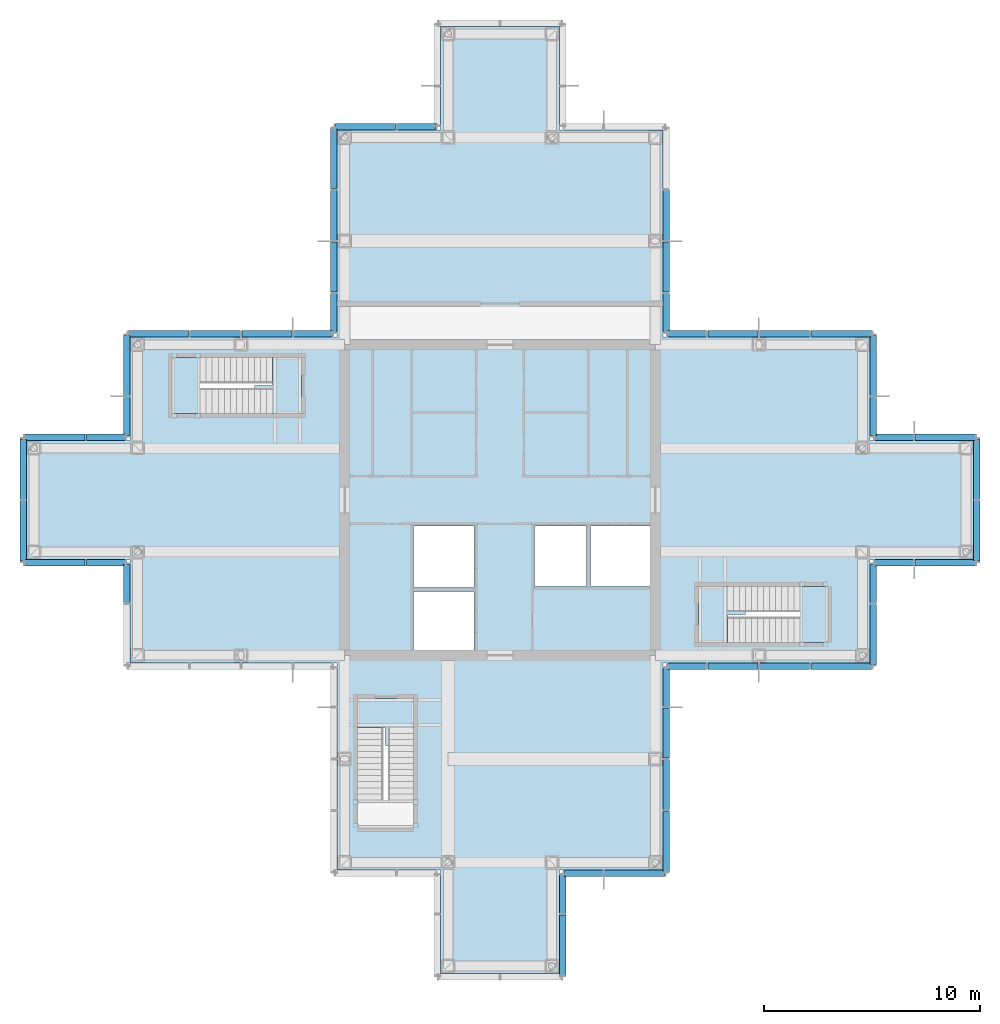
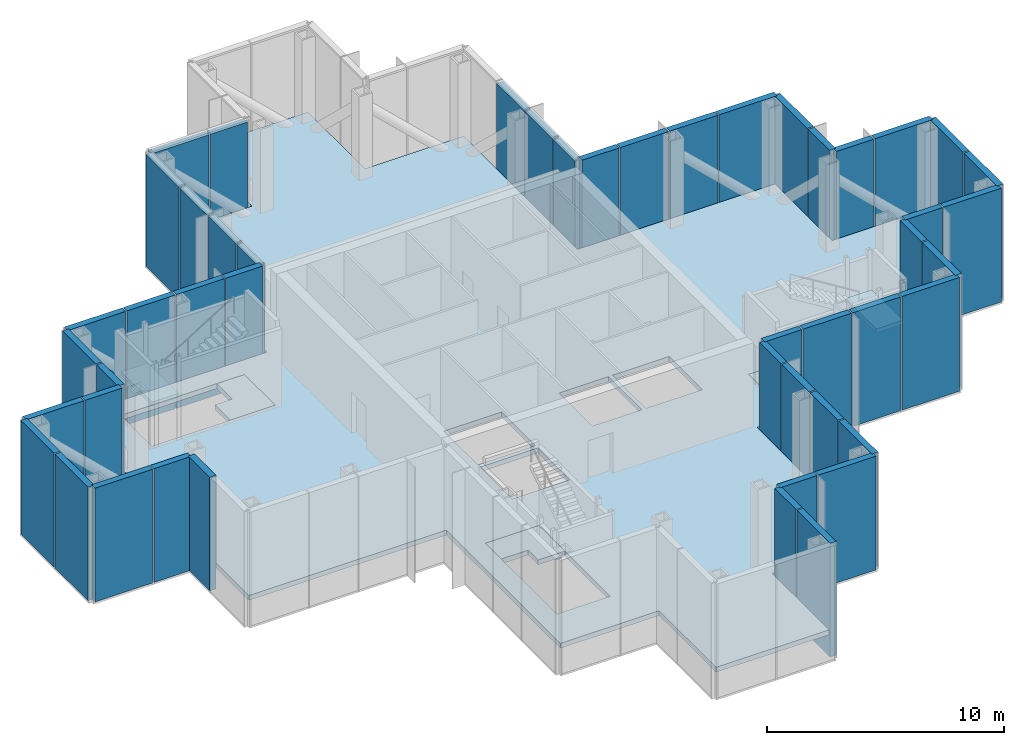
# One storey, part 10 of 13: 48 plates, 6 slabs, 22 elements without a shape of their own.
"""IFC4 building model written with IfcOpenShell, lengths in metres."""

from ifc_helpers import new_model, si_unit, direction, frame, origin, origin_2d, place, context, subcontext, project, spatial, polyline, rectangle, outline, extrude, material, layer, layer_set, type_object, element, aggregate, save


model = new_model("IFC4")

# Units and contexts
model_context = context("Model", 3, precision=1e-05, world=origin(), true_north=direction((0.0, 1.0)))
body_context = subcontext(model_context, "Body", "Model", "MODEL_VIEW")
ifc_project = project(units=[si_unit("LENGTHUNIT", "METRE"), si_unit("AREAUNIT", "SQUARE_METRE"), si_unit("VOLUMEUNIT", "CUBIC_METRE"), si_unit("PLANEANGLEUNIT", "RADIAN"), si_unit("MASSUNIT", "GRAM", prefix="KILO")], contexts=[model_context])

# Site, building, storey
site_placement = place(None, origin())
site = spatial("IfcSite", under=ifc_project, at=site_placement, CompositionType="ELEMENT")
building_placement = place(site_placement, origin())
building = spatial("IfcBuilding", under=site, at=building_placement, Name="Kvirike Care Tower", CompositionType="ELEMENT")
storey_placement = place(building_placement, frame((0.0, 0.0, 190.0)))
storey = spatial("IfcBuildingStorey", under=building, at=storey_placement, Name="L52", CompositionType="ELEMENT", Elevation=190.0)

# Curtain wall, plates
ifc_material_1 = material(Name="Anodised aluminium stick system", Category="aluminium")
curtain_wall_type = type_object("IfcCurtainWallType", Name="CW-L LOUVRED PLANT SCREEN", PredefinedType="NOTDEFINED", material=ifc_material_1)
curtain_wall_1_placement = place(storey_placement, origin())
curtain_wall_1 = element("IfcCurtainWall", 1, at=curtain_wall_1_placement, inside=storey, type_object=curtain_wall_type, Name="Curtain wall L52 face 1", PredefinedType="NOTDEFINED")
ifc_material_2 = material(Name="Bronze anodised aluminium louvre", Category="aluminium")
ifc_layer_1 = layer(ifc_material_2, 0.300048828125)
ifc_layer_set_1 = layer_set([ifc_layer_1], Name="BRONZE LOUVRE PANEL")
plate_type = type_object("IfcPlateType", Name="BRONZE LOUVRE PANEL", PredefinedType="CURTAIN_PANEL", material=ifc_layer_set_1)
plate_1_placement = place(storey_placement, frame((30.266357421875, 28.300048828125, -1.35009765625), z_axis=(0.0, 0.0, 1.0), x_axis=(1.0, 0.0, 0.0)))
plate_1 = element("IfcPlate", 2, at=plate_1_placement, type_object=plate_type, Name="CW-L panel L52 face 1.1", PredefinedType="CURTAIN_PANEL", context=body_context, shape_type="SweptSolid", body=[
    extrude(rectangle(XDim=1.802490234375, YDim=0.300048828125, at=origin_2d()), origin(), (0.0, 0.0, 1.0), 5.85009765625),
])
plate_2_placement = place(storey_placement, frame((32.39990234375, 28.300048828125, -1.35009765625), z_axis=(0.0, 0.0, 1.0), x_axis=(1.0, 0.0, 0.0)))
plate_2 = element("IfcPlate", 3, at=plate_2_placement, type_object=plate_type, Name="CW-L panel L52 face 1.2", PredefinedType="CURTAIN_PANEL", context=body_context, shape_type="SweptSolid", body=[
    extrude(rectangle(XDim=2.3349609375, YDim=0.300048828125, at=origin_2d()), origin(), (0.0, 0.0, 1.0), 5.85009765625),
])
plate_3_placement = place(storey_placement, frame((34.800048828125, 28.300048828125, -1.35009765625), z_axis=(0.0, 0.0, 1.0), x_axis=(1.0, 0.0, 0.0)))
plate_3 = element("IfcPlate", 4, at=plate_3_placement, type_object=plate_type, Name="CW-L panel L52 face 1.3", PredefinedType="CURTAIN_PANEL", context=body_context, shape_type="SweptSolid", body=[
    extrude(rectangle(XDim=2.3349609375, YDim=0.300048828125, at=origin_2d()), origin(), (0.0, 0.0, 1.0), 5.85009765625),
])
plate_4_placement = place(storey_placement, frame((37.433837890625, 28.300048828125, -1.35009765625), z_axis=(0.0, 0.0, 1.0), x_axis=(1.0, 0.0, 0.0)))
plate_4 = element("IfcPlate", 5, at=plate_4_placement, type_object=plate_type, Name="CW-L panel L52 face 1.4", PredefinedType="CURTAIN_PANEL", context=body_context, shape_type="SweptSolid", body=[
    extrude(rectangle(XDim=2.802490234375, YDim=0.300048828125, at=origin_2d()), origin(), (0.0, 0.0, 1.0), 5.85009765625),
])
aggregate(curtain_wall_1, [plate_1, plate_2, plate_3, plate_4])

curtain_wall_2_placement = place(storey_placement, origin())
curtain_wall_2 = element("IfcCurtainWall", 6, at=curtain_wall_2_placement, inside=storey, type_object=curtain_wall_type, Name="Curtain wall L52 face 2", PredefinedType="NOTDEFINED")
plate_5_placement = place(storey_placement, frame((38.89990234375, 29.766357421875, -1.35009765625), z_axis=(0.0, 0.0, 1.0), x_axis=(0.0, 1.0, 0.0)))
plate_5 = element("IfcPlate", 7, at=plate_5_placement, type_object=plate_type, Name="CW-L panel L52 face 2.1", PredefinedType="CURTAIN_PANEL", context=body_context, shape_type="SweptSolid", body=[
    extrude(rectangle(XDim=2.802490234375, YDim=0.300048828125, at=origin_2d()), origin(), (0.0, 0.0, 1.0), 5.85009765625),
])
plate_6_placement = place(storey_placement, frame((38.89990234375, 32.1337890625, -1.35009765625), z_axis=(0.0, 0.0, 1.0), x_axis=(0.0, 1.0, 0.0)))
plate_6 = element("IfcPlate", 8, at=plate_6_placement, type_object=plate_type, Name="CW-L panel L52 face 2.2", PredefinedType="CURTAIN_PANEL", context=body_context, shape_type="SweptSolid", body=[
    extrude(rectangle(XDim=1.802490234375, YDim=0.300048828125, at=origin_2d()), origin(), (0.0, 0.0, 1.0), 5.85009765625),
])
aggregate(curtain_wall_2, [plate_5, plate_6])

curtain_wall_3_placement = place(storey_placement, origin())
curtain_wall_3 = element("IfcCurtainWall", 9, at=curtain_wall_3_placement, inside=storey, type_object=curtain_wall_type, Name="Curtain wall L52 face 3", PredefinedType="NOTDEFINED")
plate_7_placement = place(storey_placement, frame((39.8662109375, 33.10009765625, -1.35009765625), z_axis=(0.0, 0.0, 1.0), x_axis=(1.0, 0.0, 0.0)))
plate_7 = element("IfcPlate", 10, at=plate_7_placement, type_object=plate_type, Name="CW-L panel L52 face 3.1", PredefinedType="CURTAIN_PANEL", context=body_context, shape_type="SweptSolid", body=[
    extrude(rectangle(XDim=1.802490234375, YDim=0.300048828125, at=origin_2d()), origin(), (0.0, 0.0, 1.0), 5.85009765625),
])
plate_8_placement = place(storey_placement, frame((42.233642578125, 33.10009765625, -1.35009765625), z_axis=(0.0, 0.0, 1.0), x_axis=(1.0, 0.0, 0.0)))
plate_8 = element("IfcPlate", 11, at=plate_8_placement, type_object=plate_type, Name="CW-L panel L52 face 3.2", PredefinedType="CURTAIN_PANEL", context=body_context, shape_type="SweptSolid", body=[
    extrude(rectangle(XDim=2.802490234375, YDim=0.300048828125, at=origin_2d()), origin(), (0.0, 0.0, 1.0), 5.85009765625),
])
aggregate(curtain_wall_3, [plate_7, plate_8])

curtain_wall_4_placement = place(storey_placement, origin())
curtain_wall_4 = element("IfcCurtainWall", 12, at=curtain_wall_4_placement, inside=storey, type_object=curtain_wall_type, Name="Curtain wall L52 face 4", PredefinedType="NOTDEFINED")
plate_9_placement = place(storey_placement, frame((43.699951171875, 34.566162109375, -1.35009765625), z_axis=(0.0, 0.0, 1.0), x_axis=(0.0, 1.0, 0.0)))
plate_9 = element("IfcPlate", 13, at=plate_9_placement, type_object=plate_type, Name="CW-L panel L52 face 4.1", PredefinedType="CURTAIN_PANEL", context=body_context, shape_type="SweptSolid", body=[
    extrude(rectangle(XDim=2.802490234375, YDim=0.300048828125, at=origin_2d()), origin(), (0.0, 0.0, 1.0), 5.85009765625),
])
plate_10_placement = place(storey_placement, frame((43.699951171875, 37.433837890625, -1.35009765625), z_axis=(0.0, 0.0, 1.0), x_axis=(0.0, 1.0, 0.0)))
plate_10 = element("IfcPlate", 14, at=plate_10_placement, type_object=plate_type, Name="CW-L panel L52 face 4.2", PredefinedType="CURTAIN_PANEL", context=body_context, shape_type="SweptSolid", body=[
    extrude(rectangle(XDim=2.802490234375, YDim=0.300048828125, at=origin_2d()), origin(), (0.0, 0.0, 1.0), 5.85009765625),
])
aggregate(curtain_wall_4, [plate_9, plate_10])

curtain_wall_5_placement = place(storey_placement, origin())
curtain_wall_5 = element("IfcCurtainWall", 15, at=curtain_wall_5_placement, inside=storey, type_object=curtain_wall_type, Name="Curtain wall L52 face 5", PredefinedType="NOTDEFINED")
plate_11_placement = place(storey_placement, frame((42.233642578125, 38.89990234375, -1.35009765625), z_axis=(0.0, 0.0, 1.0), x_axis=(-1.0, 0.0, 0.0)))
plate_11 = element("IfcPlate", 16, at=plate_11_placement, type_object=plate_type, Name="CW-L panel L52 face 5.1", PredefinedType="CURTAIN_PANEL", context=body_context, shape_type="SweptSolid", body=[
    extrude(rectangle(XDim=2.802490234375, YDim=0.300048828125, at=origin_2d()), origin(), (0.0, 0.0, 1.0), 5.85009765625),
])
plate_12_placement = place(storey_placement, frame((39.8662109375, 38.89990234375, -1.35009765625), z_axis=(0.0, 0.0, 1.0), x_axis=(-1.0, 0.0, 0.0)))
plate_12 = element("IfcPlate", 17, at=plate_12_placement, type_object=plate_type, Name="CW-L panel L52 face 5.2", PredefinedType="CURTAIN_PANEL", context=body_context, shape_type="SweptSolid", body=[
    extrude(rectangle(XDim=1.802490234375, YDim=0.300048828125, at=origin_2d()), origin(), (0.0, 0.0, 1.0), 5.85009765625),
])
aggregate(curtain_wall_5, [plate_11, plate_12])

curtain_wall_6_placement = place(storey_placement, origin())
curtain_wall_6 = element("IfcCurtainWall", 18, at=curtain_wall_6_placement, inside=storey, type_object=curtain_wall_type, Name="Curtain wall L52 face 6", PredefinedType="NOTDEFINED")
plate_13_placement = place(storey_placement, frame((38.89990234375, 39.8662109375, -1.35009765625), z_axis=(0.0, 0.0, 1.0), x_axis=(0.0, 1.0, 0.0)))
plate_13 = element("IfcPlate", 19, at=plate_13_placement, type_object=plate_type, Name="CW-L panel L52 face 6.1", PredefinedType="CURTAIN_PANEL", context=body_context, shape_type="SweptSolid", body=[
    extrude(rectangle(XDim=1.802490234375, YDim=0.300048828125, at=origin_2d()), origin(), (0.0, 0.0, 1.0), 5.85009765625),
])
plate_14_placement = place(storey_placement, frame((38.89990234375, 42.233642578125, -1.35009765625), z_axis=(0.0, 0.0, 1.0), x_axis=(0.0, 1.0, 0.0)))
plate_14 = element("IfcPlate", 20, at=plate_14_placement, type_object=plate_type, Name="CW-L panel L52 face 6.2", PredefinedType="CURTAIN_PANEL", context=body_context, shape_type="SweptSolid", body=[
    extrude(rectangle(XDim=2.802490234375, YDim=0.300048828125, at=origin_2d()), origin(), (0.0, 0.0, 1.0), 5.85009765625),
])
aggregate(curtain_wall_6, [plate_13, plate_14])

curtain_wall_7_placement = place(storey_placement, origin())
curtain_wall_7 = element("IfcCurtainWall", 21, at=curtain_wall_7_placement, inside=storey, type_object=curtain_wall_type, Name="Curtain wall L52 face 7", PredefinedType="NOTDEFINED")
plate_15_placement = place(storey_placement, frame((37.433837890625, 43.699951171875, -1.35009765625), z_axis=(0.0, 0.0, 1.0), x_axis=(-1.0, 0.0, 0.0)))
plate_15 = element("IfcPlate", 22, at=plate_15_placement, type_object=plate_type, Name="CW-L panel L52 face 7.1", PredefinedType="CURTAIN_PANEL", context=body_context, shape_type="SweptSolid", body=[
    extrude(rectangle(XDim=2.802490234375, YDim=0.300048828125, at=origin_2d()), origin(), (0.0, 0.0, 1.0), 5.85009765625),
])
plate_16_placement = place(storey_placement, frame((34.800048828125, 43.699951171875, -1.35009765625), z_axis=(0.0, 0.0, 1.0), x_axis=(-1.0, 0.0, 0.0)))
plate_16 = element("IfcPlate", 23, at=plate_16_placement, type_object=plate_type, Name="CW-L panel L52 face 7.2", PredefinedType="CURTAIN_PANEL", context=body_context, shape_type="SweptSolid", body=[
    extrude(rectangle(XDim=2.3349609375, YDim=0.300048828125, at=origin_2d()), origin(), (0.0, 0.0, 1.0), 5.85009765625),
])
plate_17_placement = place(storey_placement, frame((32.39990234375, 43.699951171875, -1.35009765625), z_axis=(0.0, 0.0, 1.0), x_axis=(-1.0, 0.0, 0.0)))
plate_17 = element("IfcPlate", 24, at=plate_17_placement, type_object=plate_type, Name="CW-L panel L52 face 7.3", PredefinedType="CURTAIN_PANEL", context=body_context, shape_type="SweptSolid", body=[
    extrude(rectangle(XDim=2.3349609375, YDim=0.300048828125, at=origin_2d()), origin(), (0.0, 0.0, 1.0), 5.85009765625),
])
plate_18_placement = place(storey_placement, frame((30.266357421875, 43.699951171875, -1.35009765625), z_axis=(0.0, 0.0, 1.0), x_axis=(-1.0, 0.0, 0.0)))
plate_18 = element("IfcPlate", 25, at=plate_18_placement, type_object=plate_type, Name="CW-L panel L52 face 7.4", PredefinedType="CURTAIN_PANEL", context=body_context, shape_type="SweptSolid", body=[
    extrude(rectangle(XDim=1.802490234375, YDim=0.300048828125, at=origin_2d()), origin(), (0.0, 0.0, 1.0), 5.85009765625),
])
aggregate(curtain_wall_7, [plate_15, plate_16, plate_17, plate_18])

curtain_wall_8_placement = place(storey_placement, origin())
curtain_wall_8 = element("IfcCurtainWall", 26, at=curtain_wall_8_placement, inside=storey, type_object=curtain_wall_type, Name="Curtain wall L52 face 8", PredefinedType="NOTDEFINED")
plate_19_placement = place(storey_placement, frame((29.300048828125, 44.666259765625, -1.35009765625), z_axis=(0.0, 0.0, 1.0), x_axis=(0.0, 1.0, 0.0)))
plate_19 = element("IfcPlate", 27, at=plate_19_placement, type_object=plate_type, Name="CW-L panel L52 face 8.1", PredefinedType="CURTAIN_PANEL", context=body_context, shape_type="SweptSolid", body=[
    extrude(rectangle(XDim=1.802490234375, YDim=0.300048828125, at=origin_2d()), origin(), (0.0, 0.0, 1.0), 5.75),
])
plate_20_placement = place(storey_placement, frame((29.300048828125, 46.800048828125, -1.35009765625), z_axis=(0.0, 0.0, 1.0), x_axis=(0.0, 1.0, 0.0)))
plate_20 = element("IfcPlate", 28, at=plate_20_placement, type_object=plate_type, Name="CW-L panel L52 face 8.2", PredefinedType="CURTAIN_PANEL", context=body_context, shape_type="SweptSolid", body=[
    extrude(rectangle(XDim=2.3349609375, YDim=0.300048828125, at=origin_2d()), origin(), (0.0, 0.0, 1.0), 5.75),
])
plate_21_placement = place(storey_placement, frame((29.300048828125, 49.199951171875, -1.35009765625), z_axis=(0.0, 0.0, 1.0), x_axis=(0.0, 1.0, 0.0)))
plate_21 = element("IfcPlate", 29, at=plate_21_placement, type_object=plate_type, Name="CW-L panel L52 face 8.3", PredefinedType="CURTAIN_PANEL", context=body_context, shape_type="SweptSolid", body=[
    extrude(rectangle(XDim=2.3349609375, YDim=0.300048828125, at=origin_2d()), origin(), (0.0, 0.0, 1.0), 5.75),
])
aggregate(curtain_wall_8, [plate_19, plate_20, plate_21])

curtain_wall_9_placement = place(storey_placement, origin())
curtain_wall_9 = element("IfcCurtainWall", 30, at=curtain_wall_9_placement, inside=storey, type_object=curtain_wall_type, Name="Curtain wall L52 face 13", PredefinedType="NOTDEFINED")
plate_22_placement = place(storey_placement, frame((17.733642578125, 53.300048828125, -1.35009765625), z_axis=(0.0, 0.0, 1.0), x_axis=(-1.0, 0.0, 0.0)))
plate_22 = element("IfcPlate", 31, at=plate_22_placement, type_object=plate_type, Name="CW-L panel L52 face 13.1", PredefinedType="CURTAIN_PANEL", context=body_context, shape_type="SweptSolid", body=[
    extrude(rectangle(XDim=1.802490234375, YDim=0.300048828125, at=origin_2d()), origin(), (0.0, 0.0, 1.0), 5.75),
])
plate_23_placement = place(storey_placement, frame((15.3662109375, 53.300048828125, -1.35009765625), z_axis=(0.0, 0.0, 1.0), x_axis=(-1.0, 0.0, 0.0)))
plate_23 = element("IfcPlate", 32, at=plate_23_placement, type_object=plate_type, Name="CW-L panel L52 face 13.2", PredefinedType="CURTAIN_PANEL", context=body_context, shape_type="SweptSolid", body=[
    extrude(rectangle(XDim=2.802490234375, YDim=0.300048828125, at=origin_2d()), origin(), (0.0, 0.0, 1.0), 5.75),
])
aggregate(curtain_wall_9, [plate_22, plate_23])

curtain_wall_10_placement = place(storey_placement, origin())
curtain_wall_10 = element("IfcCurtainWall", 33, at=curtain_wall_10_placement, inside=storey, type_object=curtain_wall_type, Name="Curtain wall L52 face 14", PredefinedType="NOTDEFINED")
plate_24_placement = place(storey_placement, frame((13.89990234375, 51.833740234375, -1.35009765625), z_axis=(0.0, 0.0, 1.0), x_axis=(0.0, -1.0, 0.0)))
plate_24 = element("IfcPlate", 34, at=plate_24_placement, type_object=plate_type, Name="CW-L panel L52 face 14.1", PredefinedType="CURTAIN_PANEL", context=body_context, shape_type="SweptSolid", body=[
    extrude(rectangle(XDim=2.802490234375, YDim=0.300048828125, at=origin_2d()), origin(), (0.0, 0.0, 1.0), 5.75),
])
plate_25_placement = place(storey_placement, frame((13.89990234375, 49.199951171875, -1.35009765625), z_axis=(0.0, 0.0, 1.0), x_axis=(0.0, -1.0, 0.0)))
plate_25 = element("IfcPlate", 35, at=plate_25_placement, type_object=plate_type, Name="CW-L panel L52 face 14.2", PredefinedType="CURTAIN_PANEL", context=body_context, shape_type="SweptSolid", body=[
    extrude(rectangle(XDim=2.3349609375, YDim=0.300048828125, at=origin_2d()), origin(), (0.0, 0.0, 1.0), 5.75),
])
plate_26_placement = place(storey_placement, frame((13.89990234375, 46.800048828125, -1.35009765625), z_axis=(0.0, 0.0, 1.0), x_axis=(0.0, -1.0, 0.0)))
plate_26 = element("IfcPlate", 36, at=plate_26_placement, type_object=plate_type, Name="CW-L panel L52 face 14.3", PredefinedType="CURTAIN_PANEL", context=body_context, shape_type="SweptSolid", body=[
    extrude(rectangle(XDim=2.3349609375, YDim=0.300048828125, at=origin_2d()), origin(), (0.0, 0.0, 1.0), 5.75),
])
plate_27_placement = place(storey_placement, frame((13.89990234375, 44.666259765625, -1.35009765625), z_axis=(0.0, 0.0, 1.0), x_axis=(0.0, -1.0, 0.0)))
plate_27 = element("IfcPlate", 37, at=plate_27_placement, type_object=plate_type, Name="CW-L panel L52 face 14.4", PredefinedType="CURTAIN_PANEL", context=body_context, shape_type="SweptSolid", body=[
    extrude(rectangle(XDim=1.802490234375, YDim=0.300048828125, at=origin_2d()), origin(), (0.0, 0.0, 1.0), 5.75),
])
aggregate(curtain_wall_10, [plate_24, plate_25, plate_26, plate_27])

curtain_wall_11_placement = place(storey_placement, origin())
curtain_wall_11 = element("IfcCurtainWall", 38, at=curtain_wall_11_placement, inside=storey, type_object=curtain_wall_type, Name="Curtain wall L52 face 15", PredefinedType="NOTDEFINED")
plate_28_placement = place(storey_placement, frame((12.933837890625, 43.699951171875, -1.35009765625), z_axis=(0.0, 0.0, 1.0), x_axis=(-1.0, 0.0, 0.0)))
plate_28 = element("IfcPlate", 39, at=plate_28_placement, type_object=plate_type, Name="CW-L panel L52 face 15.1", PredefinedType="CURTAIN_PANEL", context=body_context, shape_type="SweptSolid", body=[
    extrude(rectangle(XDim=1.802490234375, YDim=0.300048828125, at=origin_2d()), origin(), (0.0, 0.0, 1.0), 5.85009765625),
])
plate_29_placement = place(storey_placement, frame((10.800048828125, 43.699951171875, -1.35009765625), z_axis=(0.0, 0.0, 1.0), x_axis=(-1.0, 0.0, 0.0)))
plate_29 = element("IfcPlate", 40, at=plate_29_placement, type_object=plate_type, Name="CW-L panel L52 face 15.2", PredefinedType="CURTAIN_PANEL", context=body_context, shape_type="SweptSolid", body=[
    extrude(rectangle(XDim=2.3349609375, YDim=0.300048828125, at=origin_2d()), origin(), (0.0, 0.0, 1.0), 5.85009765625),
])
plate_30_placement = place(storey_placement, frame((8.39990234375, 43.699951171875, -1.35009765625), z_axis=(0.0, 0.0, 1.0), x_axis=(-1.0, 0.0, 0.0)))
plate_30 = element("IfcPlate", 41, at=plate_30_placement, type_object=plate_type, Name="CW-L panel L52 face 15.3", PredefinedType="CURTAIN_PANEL", context=body_context, shape_type="SweptSolid", body=[
    extrude(rectangle(XDim=2.3349609375, YDim=0.300048828125, at=origin_2d()), origin(), (0.0, 0.0, 1.0), 5.85009765625),
])
plate_31_placement = place(storey_placement, frame((5.766357421875, 43.699951171875, -1.35009765625), z_axis=(0.0, 0.0, 1.0), x_axis=(-1.0, 0.0, 0.0)))
plate_31 = element("IfcPlate", 42, at=plate_31_placement, type_object=plate_type, Name="CW-L panel L52 face 15.4", PredefinedType="CURTAIN_PANEL", context=body_context, shape_type="SweptSolid", body=[
    extrude(rectangle(XDim=2.802490234375, YDim=0.300048828125, at=origin_2d()), origin(), (0.0, 0.0, 1.0), 5.85009765625),
])
aggregate(curtain_wall_11, [plate_28, plate_29, plate_30, plate_31])

curtain_wall_12_placement = place(storey_placement, origin())
curtain_wall_12 = element("IfcCurtainWall", 43, at=curtain_wall_12_placement, inside=storey, type_object=curtain_wall_type, Name="Curtain wall L52 face 16", PredefinedType="NOTDEFINED")
plate_32_placement = place(storey_placement, frame((4.300048828125, 42.233642578125, -1.35009765625), z_axis=(0.0, 0.0, 1.0), x_axis=(0.0, -1.0, 0.0)))
plate_32 = element("IfcPlate", 44, at=plate_32_placement, type_object=plate_type, Name="CW-L panel L52 face 16.1", PredefinedType="CURTAIN_PANEL", context=body_context, shape_type="SweptSolid", body=[
    extrude(rectangle(XDim=2.802490234375, YDim=0.300048828125, at=origin_2d()), origin(), (0.0, 0.0, 1.0), 5.85009765625),
])
plate_33_placement = place(storey_placement, frame((4.300048828125, 39.8662109375, -1.35009765625), z_axis=(0.0, 0.0, 1.0), x_axis=(0.0, -1.0, 0.0)))
plate_33 = element("IfcPlate", 45, at=plate_33_placement, type_object=plate_type, Name="CW-L panel L52 face 16.2", PredefinedType="CURTAIN_PANEL", context=body_context, shape_type="SweptSolid", body=[
    extrude(rectangle(XDim=1.802490234375, YDim=0.300048828125, at=origin_2d()), origin(), (0.0, 0.0, 1.0), 5.85009765625),
])
aggregate(curtain_wall_12, [plate_32, plate_33])

curtain_wall_13_placement = place(storey_placement, origin())
curtain_wall_13 = element("IfcCurtainWall", 46, at=curtain_wall_13_placement, inside=storey, type_object=curtain_wall_type, Name="Curtain wall L52 face 17", PredefinedType="NOTDEFINED")
plate_34_placement = place(storey_placement, frame((3.333740234375, 38.89990234375, -1.35009765625), z_axis=(0.0, 0.0, 1.0), x_axis=(-1.0, 0.0, 0.0)))
plate_34 = element("IfcPlate", 47, at=plate_34_placement, type_object=plate_type, Name="CW-L panel L52 face 17.1", PredefinedType="CURTAIN_PANEL", context=body_context, shape_type="SweptSolid", body=[
    extrude(rectangle(XDim=1.802490234375, YDim=0.300048828125, at=origin_2d()), origin(), (0.0, 0.0, 1.0), 5.85009765625),
])
plate_35_placement = place(storey_placement, frame((0.96630859375, 38.89990234375, -1.35009765625), z_axis=(0.0, 0.0, 1.0), x_axis=(-1.0, 0.0, 0.0)))
plate_35 = element("IfcPlate", 48, at=plate_35_placement, type_object=plate_type, Name="CW-L panel L52 face 17.2", PredefinedType="CURTAIN_PANEL", context=body_context, shape_type="SweptSolid", body=[
    extrude(rectangle(XDim=2.802490234375, YDim=0.300048828125, at=origin_2d()), origin(), (0.0, 0.0, 1.0), 5.85009765625),
])
aggregate(curtain_wall_13, [plate_34, plate_35])

curtain_wall_14_placement = place(storey_placement, origin())
curtain_wall_14 = element("IfcCurtainWall", 49, at=curtain_wall_14_placement, inside=storey, type_object=curtain_wall_type, Name="Curtain wall L52 face 18", PredefinedType="NOTDEFINED")
plate_36_placement = place(storey_placement, frame((-0.5, 37.433837890625, -1.35009765625), z_axis=(0.0, 0.0, 1.0), x_axis=(0.0, -1.0, 0.0)))
plate_36 = element("IfcPlate", 50, at=plate_36_placement, type_object=plate_type, Name="CW-L panel L52 face 18.1", PredefinedType="CURTAIN_PANEL", context=body_context, shape_type="SweptSolid", body=[
    extrude(rectangle(XDim=2.802490234375, YDim=0.300048828125, at=origin_2d()), origin(), (0.0, 0.0, 1.0), 5.85009765625),
])
plate_37_placement = place(storey_placement, frame((-0.5, 34.566162109375, -1.35009765625), z_axis=(0.0, 0.0, 1.0), x_axis=(0.0, -1.0, 0.0)))
plate_37 = element("IfcPlate", 51, at=plate_37_placement, type_object=plate_type, Name="CW-L panel L52 face 18.2", PredefinedType="CURTAIN_PANEL", context=body_context, shape_type="SweptSolid", body=[
    extrude(rectangle(XDim=2.802490234375, YDim=0.300048828125, at=origin_2d()), origin(), (0.0, 0.0, 1.0), 5.85009765625),
])
aggregate(curtain_wall_14, [plate_36, plate_37])

curtain_wall_15_placement = place(storey_placement, origin())
curtain_wall_15 = element("IfcCurtainWall", 52, at=curtain_wall_15_placement, inside=storey, type_object=curtain_wall_type, Name="Curtain wall L52 face 19", PredefinedType="NOTDEFINED")
plate_38_placement = place(storey_placement, frame((0.96630859375, 33.10009765625, -1.35009765625), z_axis=(0.0, 0.0, 1.0), x_axis=(1.0, 0.0, 0.0)))
plate_38 = element("IfcPlate", 53, at=plate_38_placement, type_object=plate_type, Name="CW-L panel L52 face 19.1", PredefinedType="CURTAIN_PANEL", context=body_context, shape_type="SweptSolid", body=[
    extrude(rectangle(XDim=2.802490234375, YDim=0.300048828125, at=origin_2d()), origin(), (0.0, 0.0, 1.0), 5.85009765625),
])
plate_39_placement = place(storey_placement, frame((3.333740234375, 33.10009765625, -1.35009765625), z_axis=(0.0, 0.0, 1.0), x_axis=(1.0, 0.0, 0.0)))
plate_39 = element("IfcPlate", 54, at=plate_39_placement, type_object=plate_type, Name="CW-L panel L52 face 19.2", PredefinedType="CURTAIN_PANEL", context=body_context, shape_type="SweptSolid", body=[
    extrude(rectangle(XDim=1.802490234375, YDim=0.300048828125, at=origin_2d()), origin(), (0.0, 0.0, 1.0), 5.85009765625),
])
aggregate(curtain_wall_15, [plate_38, plate_39])

# Curtain wall, plate
curtain_wall_16_placement = place(storey_placement, origin())
curtain_wall_16 = element("IfcCurtainWall", 55, at=curtain_wall_16_placement, inside=storey, type_object=curtain_wall_type, Name="Curtain wall L52 face 20", PredefinedType="NOTDEFINED")
plate_40_placement = place(storey_placement, frame((4.300048828125, 32.1337890625, -1.35009765625), z_axis=(0.0, 0.0, 1.0), x_axis=(0.0, -1.0, 0.0)))
plate_40 = element("IfcPlate", 56, at=plate_40_placement, type_object=plate_type, Name="CW-L panel L52 face 20.1", PredefinedType="CURTAIN_PANEL", context=body_context, shape_type="SweptSolid", body=[
    extrude(rectangle(XDim=1.802490234375, YDim=0.300048828125, at=origin_2d()), origin(), (0.0, 0.0, 1.0), 5.85009765625),
])
aggregate(curtain_wall_16, [plate_40])

# Curtain wall, plates
curtain_wall_17_placement = place(storey_placement, origin())
curtain_wall_17 = element("IfcCurtainWall", 57, at=curtain_wall_17_placement, inside=storey, type_object=curtain_wall_type, Name="Curtain wall L52 face 26", PredefinedType="NOTDEFINED")
plate_41_placement = place(storey_placement, frame((24.5, 15.3662109375, -1.35009765625), z_axis=(0.0, 0.0, 1.0), x_axis=(0.0, 1.0, 0.0)))
plate_41 = element("IfcPlate", 58, at=plate_41_placement, type_object=plate_type, Name="CW-L panel L52 face 26.1", PredefinedType="CURTAIN_PANEL", context=body_context, shape_type="SweptSolid", body=[
    extrude(rectangle(XDim=2.802490234375, YDim=0.300048828125, at=origin_2d()), origin(), (0.0, 0.0, 1.0), 5.85009765625),
])
plate_42_placement = place(storey_placement, frame((24.5, 17.733642578125, -1.35009765625), z_axis=(0.0, 0.0, 1.0), x_axis=(0.0, 1.0, 0.0)))
plate_42 = element("IfcPlate", 59, at=plate_42_placement, type_object=plate_type, Name="CW-L panel L52 face 26.2", PredefinedType="CURTAIN_PANEL", context=body_context, shape_type="SweptSolid", body=[
    extrude(rectangle(XDim=1.802490234375, YDim=0.300048828125, at=origin_2d()), origin(), (0.0, 0.0, 1.0), 5.85009765625),
])
aggregate(curtain_wall_17, [plate_41, plate_42])

curtain_wall_18_placement = place(storey_placement, origin())
curtain_wall_18 = element("IfcCurtainWall", 60, at=curtain_wall_18_placement, inside=storey, type_object=curtain_wall_type, Name="Curtain wall L52 face 27", PredefinedType="NOTDEFINED")
plate_43_placement = place(storey_placement, frame((25.46630859375, 18.699951171875, -1.35009765625), z_axis=(0.0, 0.0, 1.0), x_axis=(1.0, 0.0, 0.0)))
plate_43 = element("IfcPlate", 61, at=plate_43_placement, type_object=plate_type, Name="CW-L panel L52 face 27.1", PredefinedType="CURTAIN_PANEL", context=body_context, shape_type="SweptSolid", body=[
    extrude(rectangle(XDim=1.802490234375, YDim=0.300048828125, at=origin_2d()), origin(), (0.0, 0.0, 1.0), 5.85009765625),
])
plate_44_placement = place(storey_placement, frame((27.833740234375, 18.699951171875, -1.35009765625), z_axis=(0.0, 0.0, 1.0), x_axis=(1.0, 0.0, 0.0)))
plate_44 = element("IfcPlate", 62, at=plate_44_placement, type_object=plate_type, Name="CW-L panel L52 face 27.2", PredefinedType="CURTAIN_PANEL", context=body_context, shape_type="SweptSolid", body=[
    extrude(rectangle(XDim=2.802490234375, YDim=0.300048828125, at=origin_2d()), origin(), (0.0, 0.0, 1.0), 5.85009765625),
])
aggregate(curtain_wall_18, [plate_43, plate_44])

curtain_wall_19_placement = place(storey_placement, origin())
curtain_wall_19 = element("IfcCurtainWall", 63, at=curtain_wall_19_placement, inside=storey, type_object=curtain_wall_type, Name="Curtain wall L52 face 28", PredefinedType="NOTDEFINED")
plate_45_placement = place(storey_placement, frame((29.300048828125, 20.166259765625, -1.35009765625), z_axis=(0.0, 0.0, 1.0), x_axis=(0.0, 1.0, 0.0)))
plate_45 = element("IfcPlate", 64, at=plate_45_placement, type_object=plate_type, Name="CW-L panel L52 face 28.1", PredefinedType="CURTAIN_PANEL", context=body_context, shape_type="SweptSolid", body=[
    extrude(rectangle(XDim=2.802490234375, YDim=0.300048828125, at=origin_2d()), origin(), (0.0, 0.0, 1.0), 5.85009765625),
])
plate_46_placement = place(storey_placement, frame((29.300048828125, 22.800048828125, -1.35009765625), z_axis=(0.0, 0.0, 1.0), x_axis=(0.0, 1.0, 0.0)))
plate_46 = element("IfcPlate", 65, at=plate_46_placement, type_object=plate_type, Name="CW-L panel L52 face 28.2", PredefinedType="CURTAIN_PANEL", context=body_context, shape_type="SweptSolid", body=[
    extrude(rectangle(XDim=2.3349609375, YDim=0.300048828125, at=origin_2d()), origin(), (0.0, 0.0, 1.0), 5.85009765625),
])
plate_47_placement = place(storey_placement, frame((29.300048828125, 25.199951171875, -1.35009765625), z_axis=(0.0, 0.0, 1.0), x_axis=(0.0, 1.0, 0.0)))
plate_47 = element("IfcPlate", 66, at=plate_47_placement, type_object=plate_type, Name="CW-L panel L52 face 28.3", PredefinedType="CURTAIN_PANEL", context=body_context, shape_type="SweptSolid", body=[
    extrude(rectangle(XDim=2.3349609375, YDim=0.300048828125, at=origin_2d()), origin(), (0.0, 0.0, 1.0), 5.85009765625),
])
plate_48_placement = place(storey_placement, frame((29.300048828125, 27.333740234375, -1.35009765625), z_axis=(0.0, 0.0, 1.0), x_axis=(0.0, 1.0, 0.0)))
plate_48 = element("IfcPlate", 67, at=plate_48_placement, type_object=plate_type, Name="CW-L panel L52 face 28.4", PredefinedType="CURTAIN_PANEL", context=body_context, shape_type="SweptSolid", body=[
    extrude(rectangle(XDim=1.802490234375, YDim=0.300048828125, at=origin_2d()), origin(), (0.0, 0.0, 1.0), 5.85009765625),
])
aggregate(curtain_wall_19, [plate_45, plate_46, plate_47, plate_48])

# Slab
ifc_material_3 = material(Name="Concrete C35/45", Category="concrete")
ifc_layer_2 = layer(ifc_material_3, 0.25)
ifc_layer_set_2 = layer_set([ifc_layer_2], Name="PLANT FLOOR SLAB 250")
slab_type_1 = type_object("IfcSlabType", Name="PLANT FLOOR SLAB 250", PredefinedType="FLOOR", material=ifc_layer_set_2)
slab_1_placement = place(storey_placement, frame((0.0, 0.0, -0.25)))
element("IfcSlab", 68, at=slab_1_placement, inside=storey, type_object=slab_type_1, Name="Floor slab L52", PredefinedType="FLOOR", context=body_context, shape_type="SweptSolid", body=[
    extrude(outline(polyline([(29.14990234375, 28.449951171875), (38.75, 28.449951171875), (38.75, 33.25), (43.550048828125, 33.25), (43.550048828125, 38.75), (38.75, 38.75), (38.75, 43.550048828125), (29.14990234375, 43.550048828125), (29.14990234375, 53.14990234375), (24.35009765625, 53.14990234375), (24.35009765625, 57.949951171875), (18.85009765625, 57.949951171875), (18.85009765625, 53.14990234375), (14.050048828125, 53.14990234375), (14.050048828125, 43.550048828125), (4.449951171875, 43.550048828125), (4.449951171875, 38.75), (-0.35009765625, 38.75), (-0.35009765625, 33.25), (4.449951171875, 33.25), (4.449951171875, 28.449951171875), (14.050048828125, 28.449951171875), (14.050048828125, 18.85009765625), (18.85009765625, 18.85009765625), (18.85009765625, 14.050048828125), (24.35009765625, 14.050048828125), (24.35009765625, 18.85009765625), (29.14990234375, 18.85009765625), (29.14990234375, 28.449951171875)]), holes=[polyline([(17.60009765625, 29.050048828125), (17.60009765625, 31.75), (20.39990234375, 31.75), (20.39990234375, 29.050048828125), (17.60009765625, 29.050048828125)]), polyline([(17.60009765625, 31.949951171875), (17.60009765625, 34.800048828125), (20.39990234375, 34.800048828125), (20.39990234375, 31.949951171875), (17.60009765625, 31.949951171875)]), polyline([(23.199951171875, 32.0), (23.199951171875, 34.800048828125), (25.60009765625, 34.800048828125), (25.60009765625, 32.0), (23.199951171875, 32.0)]), polyline([(25.800048828125, 32.0), (25.800048828125, 34.800048828125), (28.550048828125, 34.800048828125), (28.550048828125, 32.0), (25.800048828125, 32.0)]), polyline([(12.39990234375, 42.60009765625), (12.39990234375, 40.0), (6.39990234375, 40.0), (6.39990234375, 42.60009765625), (12.39990234375, 42.60009765625)]), polyline([(30.800048828125, 29.39990234375), (30.800048828125, 32.0), (36.800048828125, 32.0), (36.800048828125, 29.39990234375), (30.800048828125, 29.39990234375)]), polyline([(15.0, 26.800048828125), (17.60009765625, 26.800048828125), (17.60009765625, 20.800048828125), (15.0, 20.800048828125), (15.0, 26.800048828125)])]), origin(), (0.0, 0.0, 1.0), 0.25),
])

# Stair, slab
ifc_material_4 = material(Name="Concrete C35/45", Category="concrete")
stair_type = type_object("IfcStairType", Name="STAIR 26 RISERS", PredefinedType="HALF_TURN_STAIR", material=ifc_material_4)
stair_1_placement = place(storey_placement, origin())
stair_1 = element("IfcStair", 69, at=stair_1_placement, inside=storey, type_object=stair_type, Name="Stair 1 L52", PredefinedType="HALF_TURN_STAIR")
ifc_material_5 = material(Name="Concrete C35/45", Category="concrete")
ifc_layer_3 = layer(ifc_material_5, 0.199951171875)
ifc_layer_set_3 = layer_set([ifc_layer_3], Name="STAIR LANDING 200")
slab_type_2 = type_object("IfcSlabType", Name="STAIR LANDING 200", PredefinedType="LANDING", material=ifc_layer_set_3)
slab_2_placement = place(storey_placement, frame((0.0, 0.0, 2.050048828125)))
slab_2 = element("IfcSlab", 70, at=slab_2_placement, type_object=slab_type_2, Name="Stair S1 half landing L52-L53", PredefinedType="LANDING", context=body_context, shape_type="SweptSolid", body=[
    extrude(outline(polyline([(6.39990234375, 42.60009765625), (6.39990234375, 40.0), (7.699951171875, 40.0), (7.699951171875, 42.60009765625), (6.39990234375, 42.60009765625)])), origin(), (0.0, 0.0, 1.0), 0.199951171875),
])

stair_2_placement = place(storey_placement, origin())
stair_2 = element("IfcStair", 71, at=stair_2_placement, inside=storey, type_object=stair_type, Name="Stair 2 L52", PredefinedType="HALF_TURN_STAIR")
slab_3_placement = place(storey_placement, frame((0.0, 0.0, 2.050048828125)))
slab_3 = element("IfcSlab", 72, at=slab_3_placement, type_object=slab_type_2, Name="Stair S2 half landing L52-L53", PredefinedType="LANDING", context=body_context, shape_type="SweptSolid", body=[
    extrude(outline(polyline([(36.800048828125, 29.39990234375), (36.800048828125, 32.0), (35.5, 32.0), (35.5, 29.39990234375), (36.800048828125, 29.39990234375)])), origin(), (0.0, 0.0, 1.0), 0.199951171875),
])

# Slab
ifc_material_6 = material(Name="Concrete C35/45", Category="concrete")
ifc_layer_4 = layer(ifc_material_6, 0.25)
ifc_layer_set_4 = layer_set([ifc_layer_4], Name="STAIR LANDING 250")
slab_type_3 = type_object("IfcSlabType", Name="STAIR LANDING 250", PredefinedType="LANDING", material=ifc_layer_set_4)
slab_4_placement = place(storey_placement, frame((0.0, 0.0, -0.25)))
slab_4 = element("IfcSlab", 73, at=slab_4_placement, type_object=slab_type_3, Name="Stair S1 floor landing L52", PredefinedType="LANDING", context=body_context, shape_type="SweptSolid", body=[
    extrude(outline(polyline([(11.06005859375, 42.60009765625), (11.06005859375, 41.300048828125), (10.219970703125, 41.300048828125), (10.219970703125, 40.0), (12.39990234375, 40.0), (12.39990234375, 42.60009765625), (11.06005859375, 42.60009765625)])), origin(), (0.0, 0.0, 1.0), 0.25),
])

aggregate(stair_1, [slab_4, slab_2])

slab_5_placement = place(storey_placement, frame((0.0, 0.0, -0.25)))
slab_5 = element("IfcSlab", 74, at=slab_5_placement, type_object=slab_type_3, Name="Stair S2 floor landing L52", PredefinedType="LANDING", context=body_context, shape_type="SweptSolid", body=[
    extrude(outline(polyline([(32.139892578125, 29.39990234375), (32.139892578125, 30.699951171875), (32.97998046875, 30.699951171875), (32.97998046875, 32.0), (30.800048828125, 32.0), (30.800048828125, 29.39990234375), (32.139892578125, 29.39990234375)])), origin(), (0.0, 0.0, 1.0), 0.25),
])

aggregate(stair_2, [slab_5, slab_3])

# Stair, slab
stair_3_placement = place(storey_placement, origin())
stair_3 = element("IfcStair", 75, at=stair_3_placement, inside=storey, type_object=stair_type, Name="Stair 5 L52", PredefinedType="HALF_TURN_STAIR")
slab_6_placement = place(storey_placement, frame((0.0, 0.0, -0.25)))
slab_6 = element("IfcSlab", 76, at=slab_6_placement, type_object=slab_type_3, Name="Stair S5 floor landing L52", PredefinedType="LANDING", context=body_context, shape_type="SweptSolid", body=[
    extrude(outline(polyline([(15.0, 25.4599609375), (16.300048828125, 25.4599609375), (16.300048828125, 24.6201171875), (17.60009765625, 24.6201171875), (17.60009765625, 26.800048828125), (15.0, 26.800048828125), (15.0, 25.4599609375)])), origin(), (0.0, 0.0, 1.0), 0.25),
])
aggregate(stair_3, [slab_6])

save(model, "model.ifc")
